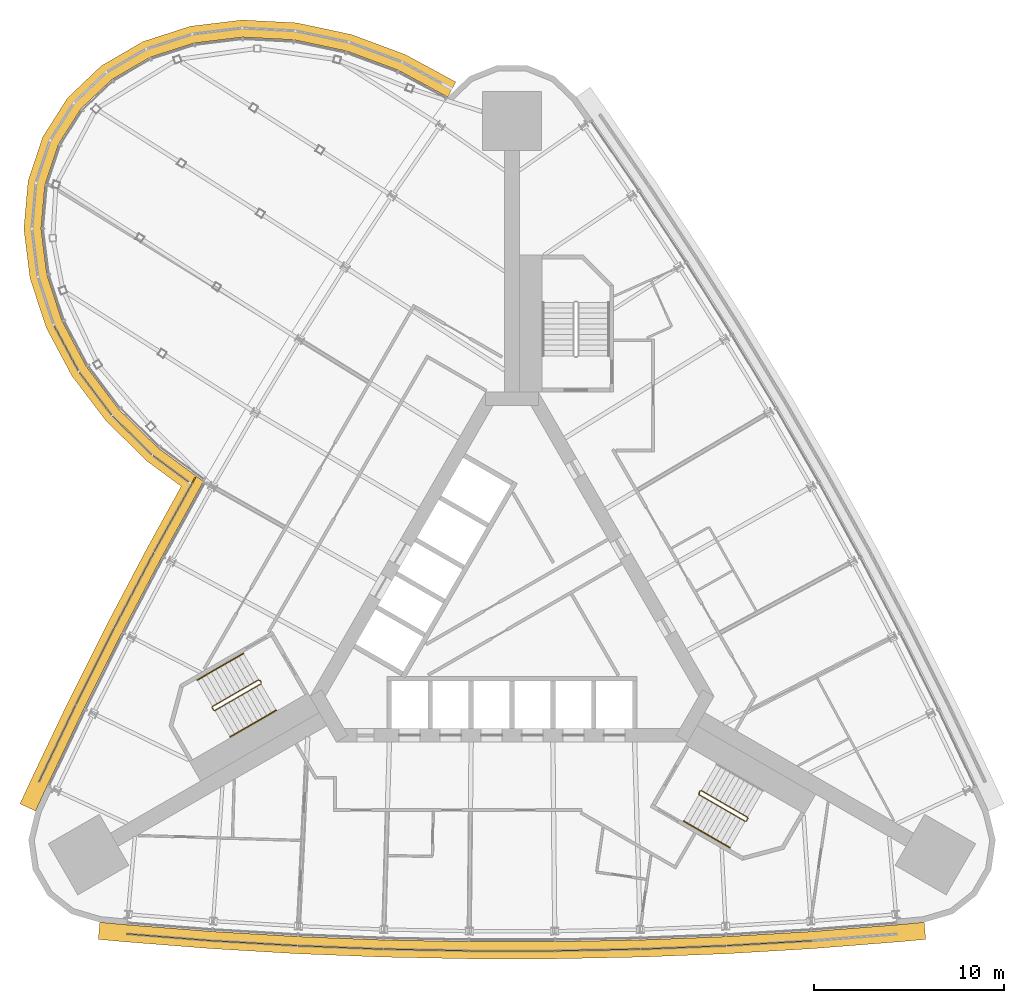
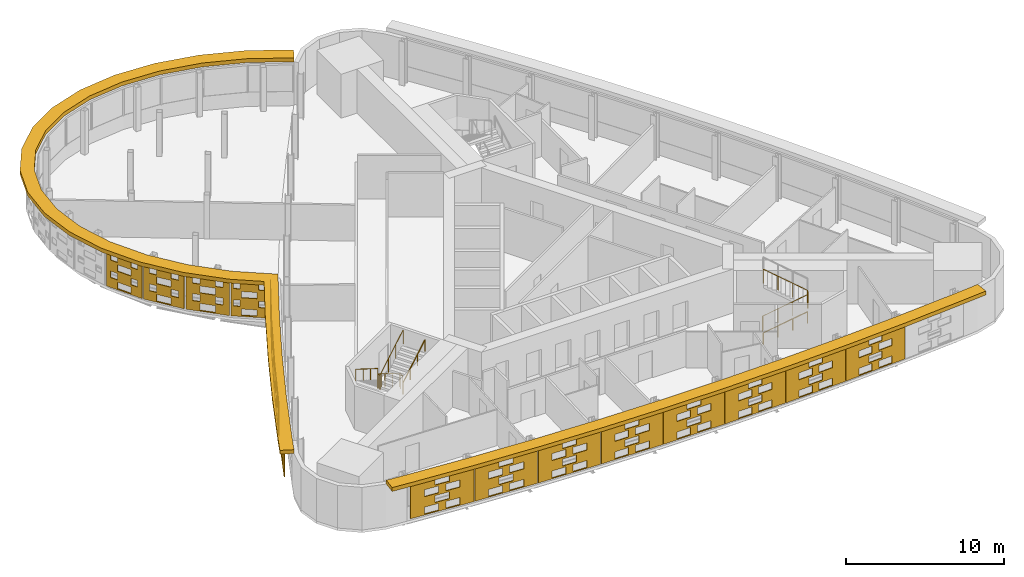
# One storey, part 15 of 17: 18 shading devices, 5 railings.
"""IFC4 building model written with IfcOpenShell, lengths in metres."""

import ifcopenshell
import ifcopenshell.guid

model = None  # the IFC model being written
_history = None  # IfcOwnerHistory: only IFC2X3 demands one
_inside = {}  # id of a spatial element -> (the spatial element, [elements in it])
_under = {}  # id of a project, library or spatial element -> (it, [spatial elements below it])
_declared = {}  # id of a project -> (the project, [libraries it declares])
_typed = {}  # id of a type object -> (the type object, [elements of that type])
_made_of = {}  # id of a material, layer set ... -> (it, [elements and type objects made of it])


def new_model(schema):
    """Start an empty IFC model of exactly this schema.

    Asked for "IFC4X3", IfcOpenShell would pick the latest addendum, in which some entities
    have other attributes; the version numbers below select the first issue.
    IFC2X3 requires an IfcOwnerHistory on every rooted entity: one is made here for all.
    """
    global model, _history
    if schema == "IFC4X3":
        model = ifcopenshell.file(schema_version=(4, 3, 0, 0))
    else:
        model = ifcopenshell.file(schema=schema)
    _inside.clear()
    _under.clear()
    _declared.clear()
    _typed.clear()
    _made_of.clear()
    _history = None
    if model.schema == "IFC2X3":
        org = make("IfcOrganization", Name="unknown")
        user = make(
            "IfcPersonAndOrganization",
            ThePerson=make("IfcPerson", FamilyName="unknown"),
            TheOrganization=org,
        )
        app = make(
            "IfcApplication",
            ApplicationDeveloper=org,
            Version="unknown",
            ApplicationFullName="unknown",
            ApplicationIdentifier="unknown",
        )
        _history = make(
            "IfcOwnerHistory",
            OwningUser=user,
            OwningApplication=app,
            ChangeAction="ADDED",
            CreationDate=0,
        )
    return model


def make(cls, **values):
    """One entity of the class cls with the attributes given. An attribute that is None is left unset."""
    return model.create_entity(
        cls, **{name: value for name, value in values.items() if value is not None}
    )


def rooted(cls, **values):
    """An entity with a GlobalId (a new one), such as an element, a storey or a relation."""
    return make(cls, GlobalId=ifcopenshell.guid.new(), OwnerHistory=_history, **values)


def si_unit(unit_type, name, prefix=None):
    """IfcSIUnit, for example si_unit("LENGTHUNIT", "METRE", prefix="MILLI")."""
    return make("IfcSIUnit", UnitType=unit_type, Prefix=prefix, Name=name)


def assignment(units):
    """IfcUnitAssignment: the units of a project."""
    return None if units is None else make("IfcUnitAssignment", Units=units)


def point(xyz):
    """IfcCartesianPoint."""
    return None if xyz is None else make("IfcCartesianPoint", Coordinates=xyz)


def direction(xyz):
    """IfcDirection."""
    return None if xyz is None else make("IfcDirection", DirectionRatios=xyz)


def frame(location, z_axis=None, x_axis=None):
    """IfcAxis2Placement3D, a coordinate frame: its origin and axes. An axis left out is left unset."""
    return make(
        "IfcAxis2Placement3D",
        Location=point(location),
        Axis=direction(z_axis),
        RefDirection=direction(x_axis),
    )


def frame_2d(location, x_axis=None):
    """IfcAxis2Placement2D, a coordinate frame in the plane: its origin and x axis."""
    return make(
        "IfcAxis2Placement2D", Location=point(location), RefDirection=direction(x_axis)
    )


def origin():
    """The frame at (0, 0, 0) with its axes left unset."""
    return frame((0.0, 0.0, 0.0))


def origin_2d():
    """The frame at (0, 0) in the plane with its x axis left unset."""
    return frame_2d((0.0, 0.0))


def place(relative_to, where):
    """IfcLocalPlacement: puts the frame where relative to a parent placement (None: the world)."""
    return make(
        "IfcLocalPlacement", PlacementRelTo=relative_to, RelativePlacement=where
    )


def context(
    kind, dimensions, precision=None, world=None, true_north=None, identifier=None
):
    """IfcGeometricRepresentationContext, for example the 3D "Model" context."""
    return make(
        "IfcGeometricRepresentationContext",
        ContextIdentifier=identifier,
        ContextType=kind,
        CoordinateSpaceDimension=dimensions,
        Precision=precision,
        WorldCoordinateSystem=world,
        TrueNorth=true_north,
    )


def subcontext(parent, identifier, kind, view, scale=None):
    """IfcGeometricRepresentationSubContext, for example "Body" below "Model"."""
    return make(
        "IfcGeometricRepresentationSubContext",
        ContextIdentifier=identifier,
        ContextType=kind,
        ParentContext=parent,
        TargetScale=scale,
        TargetView=view,
    )


def project(units=None, contexts=None):
    """IfcProject with its units and contexts."""
    return rooted(
        "IfcProject",
        Name="project",
        RepresentationContexts=contexts,
        UnitsInContext=assignment(units),
    )


def spatial(cls, under=None, at=None, **own):
    """A site, building, storey or space (cls), placed at a placement, below another one or the project."""
    s = rooted(cls, ObjectPlacement=at, **own)
    if under is not None:
        _under.setdefault(under.id(), (under, []))[1].append(s)
    return s


def polyline(points):
    """IfcPolyline through the points."""
    return make("IfcPolyline", Points=[point(p) for p in points])


def profile(cls, at=None, kind="AREA", **sizes):
    """A parametric profile (cls). Its sizes go by their IFC names, for example OverallWidth=200.0."""
    return make(cls, ProfileType=kind, Position=at, **sizes)


def circle(**sizes):
    """IfcCircleProfileDef."""
    return profile("IfcCircleProfileDef", **sizes)


def outline(outer, holes=None, kind="AREA"):
    """IfcArbitraryClosedProfileDef: a profile drawn as a closed curve; with holes, ...WithVoids."""
    if holes is None:
        return make("IfcArbitraryClosedProfileDef", ProfileType=kind, OuterCurve=outer)
    return make(
        "IfcArbitraryProfileDefWithVoids",
        ProfileType=kind,
        OuterCurve=outer,
        InnerCurves=holes,
    )


def extrude(swept, where, along, depth):
    """IfcExtrudedAreaSolid: the profile swept, set in the frame where, extruded along a direction by depth."""
    return make(
        "IfcExtrudedAreaSolid",
        SweptArea=swept,
        Position=where,
        ExtrudedDirection=direction(along),
        Depth=depth,
    )


def shape(context_of_items, identifier, shape_type, items):
    """IfcShapeRepresentation: the items that make up one representation, for example the "Body"."""
    return make(
        "IfcShapeRepresentation",
        ContextOfItems=context_of_items,
        RepresentationIdentifier=identifier,
        RepresentationType=shape_type,
        Items=items,
    )


def material(Name=None, Category=None):
    """IfcMaterial."""
    return make("IfcMaterial", Name=Name, Category=Category)


def layer(
    of_material, thickness, ventilated=None, Name=None, Category=None, Priority=None
):
    """IfcMaterialLayer: one layer of a wall or slab, of a material (None: an air gap)."""
    return make(
        "IfcMaterialLayer",
        Material=of_material,
        LayerThickness=thickness,
        IsVentilated=ventilated,
        Name=Name,
        Category=Category,
        Priority=Priority,
    )


def layer_set(layers, Name=None):
    """IfcMaterialLayerSet."""
    return make("IfcMaterialLayerSet", MaterialLayers=layers, LayerSetName=Name)


def material_profile(
    of_material, cross_section, Name=None, Category=None, Priority=None
):
    """IfcMaterialProfile: a cross section and its material."""
    return make(
        "IfcMaterialProfile",
        Name=Name,
        Material=of_material,
        Profile=cross_section,
        Priority=Priority,
        Category=Category,
    )


def profile_set(profiles, Name=None, composite=None):
    """IfcMaterialProfileSet."""
    return make(
        "IfcMaterialProfileSet",
        Name=Name,
        MaterialProfiles=profiles,
        CompositeProfile=composite,
    )


def made_of(thing, what):
    """Note that an element or type object is made of a material, layer set ...; save() writes the relation."""
    if what is not None:
        _made_of.setdefault(what.id(), (what, []))[1].append(thing)
    return thing


def type_object(cls, material=None, **own):
    """A type object (cls), such as IfcWallType, which elements share."""
    return made_of(rooted(cls, **own), material)


def element(
    cls,
    number,
    at=None,
    inside=None,
    cuts=None,
    type_object=None,
    material=None,
    context=None,
    identifier="Body",
    shape_type=None,
    held_by="IfcProductDefinitionShape",
    body=None,
    shapes=None,
    **own,
):
    """One element of the class cls, such as IfcWall. Its Tag is "e" and its number.

    at: its placement. inside: the storey or other place that contains it. cuts: it is an
    opening in that element (IfcRelVoidsElement). A single representation is given by context,
    identifier, shape_type and body (its items); several are given by shapes. held_by: the class
    of the entity that holds the representations. save() writes the other relations.
    """
    e = rooted(cls, Tag="e%d" % number, ObjectPlacement=at, **own)
    if body is not None:
        shapes = [shape(context, identifier, shape_type, body)]
    if shapes is not None:
        e.Representation = make(held_by, Representations=shapes)
    if inside is not None:
        _inside.setdefault(inside.id(), (inside, []))[1].append(e)
    if cuts is not None:
        rooted(
            "IfcRelVoidsElement", RelatingBuildingElement=cuts, RelatedOpeningElement=e
        )
    if type_object is not None:
        _typed.setdefault(type_object.id(), (type_object, []))[1].append(e)
    return made_of(e, material)


def aggregate(whole, parts):
    """IfcRelAggregates: a whole, such as a stair, and the parts it consists of."""
    return rooted("IfcRelAggregates", RelatingObject=whole, RelatedObjects=parts)


def save(model, path):
    """Write the relations noted so far, then the file.

    IfcRelAggregates (storeys below a building ...), IfcRelContainedInSpatialStructure (elements
    in a storey), IfcRelDefinesByType, IfcRelAssociatesMaterial and IfcRelDeclares: one each for
    every whole, place, type object, material and project.
    """
    for whole, parts in _under.values():
        aggregate(whole, parts)
    for where, things in _inside.values():
        rooted(
            "IfcRelContainedInSpatialStructure",
            RelatedElements=things,
            RelatingStructure=where,
        )
    for kind, things in _typed.values():
        rooted("IfcRelDefinesByType", RelatedObjects=things, RelatingType=kind)
    for what, things in _made_of.values():
        rooted("IfcRelAssociatesMaterial", RelatedObjects=things, RelatingMaterial=what)
    for by, libraries in _declared.values():
        rooted("IfcRelDeclares", RelatingContext=by, RelatedDefinitions=libraries)
    model.write(path)


model = new_model("IFC4")

# Units and contexts
model_context = context("Model", 3, precision=1e-05, world=origin(), true_north=direction((0.0, 1.0)))
body_context = subcontext(model_context, "Body", "Model", "MODEL_VIEW")
ifc_project = project(units=[si_unit("LENGTHUNIT", "METRE"), si_unit("AREAUNIT", "SQUARE_METRE"), si_unit("VOLUMEUNIT", "CUBIC_METRE"), si_unit("PLANEANGLEUNIT", "RADIAN"), si_unit("MASSUNIT", "GRAM", prefix="KILO")], contexts=[model_context])

# Site, building, storey
site_placement = place(None, origin())
site = spatial("IfcSite", under=ifc_project, at=site_placement, CompositionType="ELEMENT")
building_placement = place(site_placement, origin())
building = spatial("IfcBuilding", under=site, at=building_placement, Name="Noor Cloister Tower", CompositionType="ELEMENT")
storey_placement = place(building_placement, frame((0.0, 0.0, 95.10009765625)))
storey = spatial("IfcBuildingStorey", under=building, at=storey_placement, Name="L24", CompositionType="ELEMENT", Elevation=95.10009765625)

# Shading devices
ifc_material_1 = material(Name="Limestone", Category="masonry")
ifc_material_profile = material_profile(ifc_material_1, outline(polyline([(-2.22998046875, -1.35009765625), (2.22998046875, -1.35009765625), (2.22998046875, 1.35009765625), (-2.22998046875, 1.35009765625), (-2.22998046875, -1.35009765625)]), holes=[polyline([(-1.25, -1.282470703125), (-0.25, -1.282470703125), (-0.25, -0.742431640625), (-1.25, -0.742431640625), (-1.25, -1.282470703125)]), polyline([(0.25, -1.282470703125), (1.25, -1.282470703125), (1.25, -0.742431640625), (0.25, -0.742431640625), (0.25, -1.282470703125)]), polyline([(-0.5, -0.607421875), (0.5, -0.607421875), (0.5, -0.0673828125), (-0.5, -0.0673828125), (-0.5, -0.607421875)]), polyline([(-1.25, 0.0673828125), (-0.25, 0.0673828125), (-0.25, 0.607421875), (-1.25, 0.607421875), (-1.25, 0.0673828125)]), polyline([(0.25, 0.0673828125), (1.25, 0.0673828125), (1.25, 0.607421875), (0.25, 0.607421875), (0.25, 0.0673828125)]), polyline([(-0.5, 0.742431640625), (0.5, 0.742431640625), (0.5, 1.282470703125), (-0.5, 1.282470703125), (-0.5, 0.742431640625)])]), Name="Woven screen 28 percent open")
ifc_profile_set = profile_set([ifc_material_profile], Name="Limestone")
shading_device_type_1 = type_object("IfcShadingDeviceType", Name="SCREEN woven limestone 28 percent open", PredefinedType="USERDEFINED", material=ifc_profile_set)
shading_device_1_placement = place(storey_placement, frame((-17.6884765625, 5.006591796875, 1.849853515625), z_axis=(-0.874923997532, 0.484260259099, 0.0), x_axis=(-0.484260259099, -0.874923997532, 0.0)))
element("IfcShadingDevice", 1, at=shading_device_1_placement, inside=storey, type_object=shading_device_type_1, Name="SCREEN L24 18", ObjectType="SCREEN", PredefinedType="USERDEFINED", context=body_context, shape_type="SweptSolid", body=[
    extrude(outline(polyline([(-2.22998046875, -1.35009765625), (2.22998046875, -1.35009765625), (2.22998046875, 1.35009765625), (-2.22998046875, 1.35009765625), (-2.22998046875, -1.35009765625)]), holes=[polyline([(-1.25, -1.282470703125), (-0.25, -1.282470703125), (-0.25, -0.742431640625), (-1.25, -0.742431640625), (-1.25, -1.282470703125)]), polyline([(0.25, -1.282470703125), (1.25, -1.282470703125), (1.25, -0.742431640625), (0.25, -0.742431640625), (0.25, -1.282470703125)]), polyline([(-0.5, -0.607421875), (0.5, -0.607421875), (0.5, -0.0673828125), (-0.5, -0.0673828125), (-0.5, -0.607421875)]), polyline([(-1.25, 0.0673828125), (-0.25, 0.0673828125), (-0.25, 0.607421875), (-1.25, 0.607421875), (-1.25, 0.0673828125)]), polyline([(0.25, 0.0673828125), (1.25, 0.0673828125), (1.25, 0.607421875), (0.25, 0.607421875), (0.25, 0.0673828125)]), polyline([(-0.5, 0.742431640625), (0.5, 0.742431640625), (0.5, 1.282470703125), (-0.5, 1.282470703125), (-0.5, 0.742431640625)])]), origin(), (0.0, 0.0, 1.0), 0.06005859375),
])
shading_device_2_placement = place(storey_placement, frame((-19.82666015625, 1.037353515625, 1.849853515625), z_axis=(-0.885271944608, 0.465073740486, 0.0), x_axis=(-0.465073740486, -0.885271944608, 0.0)))
element("IfcShadingDevice", 2, at=shading_device_2_placement, inside=storey, type_object=shading_device_type_1, Name="SCREEN L24 19", ObjectType="SCREEN", PredefinedType="USERDEFINED", context=body_context, shape_type="SweptSolid", body=[
    extrude(outline(polyline([(-2.22998046875, -1.35009765625), (2.22998046875, -1.35009765625), (2.22998046875, 1.35009765625), (-2.22998046875, 1.35009765625), (-2.22998046875, -1.35009765625)]), holes=[polyline([(-1.25, -1.282470703125), (-0.25, -1.282470703125), (-0.25, -0.742431640625), (-1.25, -0.742431640625), (-1.25, -1.282470703125)]), polyline([(0.25, -1.282470703125), (1.25, -1.282470703125), (1.25, -0.742431640625), (0.25, -0.742431640625), (0.25, -1.282470703125)]), polyline([(-0.5, -0.607421875), (0.5, -0.607421875), (0.5, -0.0673828125), (-0.5, -0.0673828125), (-0.5, -0.607421875)]), polyline([(-1.25, 0.0673828125), (-0.25, 0.0673828125), (-0.25, 0.607421875), (-1.25, 0.607421875), (-1.25, 0.0673828125)]), polyline([(0.25, 0.0673828125), (1.25, 0.0673828125), (1.25, 0.607421875), (0.25, 0.607421875), (0.25, 0.0673828125)]), polyline([(-0.5, 0.742431640625), (0.5, 0.742431640625), (0.5, 1.282470703125), (-0.5, 1.282470703125), (-0.5, 0.742431640625)])]), origin(), (0.0, 0.0, 1.0), 0.059814453125),
])
for number, where, z_axis, x_axis, name in (
    (3, (-21.885986328125, -2.973388671875, 1.849853515625), (-0.894427191, 0.4472135955, 0.0), (-0.4472135955, -0.894427191, 0.0), "SCREEN L24 20"),
    (4, (-23.8662109375, -7.02392578125, 1.849853515625), (-0.902409201061, 0.430880068975, 0.0), (-0.430880068975, -0.902409201061, 0.0), "SCREEN L24 21"),
    (5, (-18.015869140625, -17.15673828125, 1.849853515625), (-0.081362009455, -0.996684615823, 0.0), (0.996684615823, -0.081362009455, 0.0), "SCREEN L24 1"),
):
    element("IfcShadingDevice", number, at=place(storey_placement, frame(where, z_axis=z_axis, x_axis=x_axis)), inside=storey, type_object=shading_device_type_1, Name=name, ObjectType="SCREEN", PredefinedType="USERDEFINED", context=body_context, shape_type="SweptSolid", body=[
        extrude(outline(polyline([(-2.22998046875, -1.35009765625), (2.22998046875, -1.35009765625), (2.22998046875, 1.35009765625), (-2.22998046875, 1.35009765625), (-2.22998046875, -1.35009765625)]), holes=[polyline([(-1.25, -1.282470703125), (-0.25, -1.282470703125), (-0.25, -0.742431640625), (-1.25, -0.742431640625), (-1.25, -1.282470703125)]), polyline([(0.25, -1.282470703125), (1.25, -1.282470703125), (1.25, -0.742431640625), (0.25, -0.742431640625), (0.25, -1.282470703125)]), polyline([(-0.5, -0.607421875), (0.5, -0.607421875), (0.5, -0.0673828125), (-0.5, -0.0673828125), (-0.5, -0.607421875)]), polyline([(-1.25, 0.0673828125), (-0.25, 0.0673828125), (-0.25, 0.607421875), (-1.25, 0.607421875), (-1.25, 0.0673828125)]), polyline([(0.25, 0.0673828125), (1.25, 0.0673828125), (1.25, 0.607421875), (0.25, 0.607421875), (0.25, 0.0673828125)]), polyline([(-0.5, 0.742431640625), (0.5, 0.742431640625), (0.5, 1.282470703125), (-0.5, 1.282470703125), (-0.5, 0.742431640625)])]), origin(), (0.0, 0.0, 1.0), 0.06005859375),
    ])
shading_device_3_placement = place(storey_placement, frame((-13.51806640625, -17.46728515625, 1.849853515625), z_axis=(-0.057049790539, -0.998371334424, 0.0), x_axis=(0.998371334424, -0.057049790539, 0.0)))
element("IfcShadingDevice", 6, at=shading_device_3_placement, inside=storey, type_object=shading_device_type_1, Name="SCREEN L24 2", ObjectType="SCREEN", PredefinedType="USERDEFINED", context=body_context, shape_type="SweptSolid", body=[
    extrude(outline(polyline([(-2.22998046875, -1.35009765625), (2.22998046875, -1.35009765625), (2.22998046875, 1.35009765625), (-2.22998046875, 1.35009765625), (-2.22998046875, -1.35009765625)]), holes=[polyline([(-1.25, -1.282470703125), (-0.25, -1.282470703125), (-0.25, -0.742431640625), (-1.25, -0.742431640625), (-1.25, -1.282470703125)]), polyline([(0.25, -1.282470703125), (1.25, -1.282470703125), (1.25, -0.742431640625), (0.25, -0.742431640625), (0.25, -1.282470703125)]), polyline([(-0.5, -0.607421875), (0.5, -0.607421875), (0.5, -0.0673828125), (-0.5, -0.0673828125), (-0.5, -0.607421875)]), polyline([(-1.25, 0.0673828125), (-0.25, 0.0673828125), (-0.25, 0.607421875), (-1.25, 0.607421875), (-1.25, 0.0673828125)]), polyline([(0.25, 0.0673828125), (1.25, 0.0673828125), (1.25, 0.607421875), (0.25, 0.607421875), (0.25, 0.0673828125)]), polyline([(-0.5, 0.742431640625), (0.5, 0.742431640625), (0.5, 1.282470703125), (-0.5, 1.282470703125), (-0.5, 0.742431640625)])]), origin(), (0.0, 0.0, 1.0), 0.059814453125),
])
for number, where, z_axis, x_axis, name in (
    (7, (-9.014892578125, -17.68896484375, 1.849853515625), (-0.040616861577, -0.999174794796, 0.0), (0.999174794796, -0.040616861577, 0.0), "SCREEN L24 3"),
    (8, (-4.50830078125, -17.822021484375, 1.849853515625), (-0.020321006241, -0.999793507033, 0.0), (0.999793507033, -0.020321006241, 0.0), "SCREEN L24 4"),
    (9, (0.0, -17.866455078125, 1.849853515625), (0.0, -1.0, 0.0), (1.0, 0.0, 0.0), "SCREEN L24 5"),
    (10, (4.50830078125, -17.822021484375, 1.849853515625), (0.020321006241, -0.999793507033, 0.0), (0.999793507033, 0.020321006241, 0.0), "SCREEN L24 6"),
    (11, (9.014892578125, -17.68896484375, 1.849853515625), (0.040616861577, -0.999174794796, 0.0), (0.999174794796, 0.040616861577, 0.0), "SCREEN L24 7"),
):
    element("IfcShadingDevice", number, at=place(storey_placement, frame(where, z_axis=z_axis, x_axis=x_axis)), inside=storey, type_object=shading_device_type_1, Name=name, ObjectType="SCREEN", PredefinedType="USERDEFINED", context=body_context, shape_type="SweptSolid", body=[
        extrude(outline(polyline([(-2.22998046875, -1.35009765625), (2.22998046875, -1.35009765625), (2.22998046875, 1.35009765625), (-2.22998046875, 1.35009765625), (-2.22998046875, -1.35009765625)]), holes=[polyline([(-1.25, -1.282470703125), (-0.25, -1.282470703125), (-0.25, -0.742431640625), (-1.25, -0.742431640625), (-1.25, -1.282470703125)]), polyline([(0.25, -1.282470703125), (1.25, -1.282470703125), (1.25, -0.742431640625), (0.25, -0.742431640625), (0.25, -1.282470703125)]), polyline([(-0.5, -0.607421875), (0.5, -0.607421875), (0.5, -0.0673828125), (-0.5, -0.0673828125), (-0.5, -0.607421875)]), polyline([(-1.25, 0.0673828125), (-0.25, 0.0673828125), (-0.25, 0.607421875), (-1.25, 0.607421875), (-1.25, 0.0673828125)]), polyline([(0.25, 0.0673828125), (1.25, 0.0673828125), (1.25, 0.607421875), (0.25, 0.607421875), (0.25, 0.0673828125)]), polyline([(-0.5, 0.742431640625), (0.5, 0.742431640625), (0.5, 1.282470703125), (-0.5, 1.282470703125), (-0.5, 0.742431640625)])]), origin(), (0.0, 0.0, 1.0), 0.06005859375),
    ])
shading_device_4_placement = place(storey_placement, frame((13.51806640625, -17.46728515625, 1.849853515625), z_axis=(0.057049790539, -0.998371334424, 0.0), x_axis=(0.998371334424, 0.057049790539, 0.0)))
element("IfcShadingDevice", 12, at=shading_device_4_placement, inside=storey, type_object=shading_device_type_1, Name="SCREEN L24 8", ObjectType="SCREEN", PredefinedType="USERDEFINED", context=body_context, shape_type="SweptSolid", body=[
    extrude(outline(polyline([(-2.22998046875, -1.35009765625), (2.22998046875, -1.35009765625), (2.22998046875, 1.35009765625), (-2.22998046875, 1.35009765625), (-2.22998046875, -1.35009765625)]), holes=[polyline([(-1.25, -1.282470703125), (-0.25, -1.282470703125), (-0.25, -0.742431640625), (-1.25, -0.742431640625), (-1.25, -1.282470703125)]), polyline([(0.25, -1.282470703125), (1.25, -1.282470703125), (1.25, -0.742431640625), (0.25, -0.742431640625), (0.25, -1.282470703125)]), polyline([(-0.5, -0.607421875), (0.5, -0.607421875), (0.5, -0.0673828125), (-0.5, -0.0673828125), (-0.5, -0.607421875)]), polyline([(-1.25, 0.0673828125), (-0.25, 0.0673828125), (-0.25, 0.607421875), (-1.25, 0.607421875), (-1.25, 0.0673828125)]), polyline([(0.25, 0.0673828125), (1.25, 0.0673828125), (1.25, 0.607421875), (0.25, 0.607421875), (0.25, 0.0673828125)]), polyline([(-0.5, 0.742431640625), (0.5, 0.742431640625), (0.5, 1.282470703125), (-0.5, 1.282470703125), (-0.5, 0.742431640625)])]), origin(), (0.0, 0.0, 1.0), 0.059814453125),
])
ifc_material_2 = material(Name="Limestone", Category="masonry")
ifc_layer = layer(ifc_material_2, 0.06005859375)
ifc_layer_set = layer_set([ifc_layer], Name="SCREEN woven limestone pod 28 percent open")
shading_device_type_2 = type_object("IfcShadingDeviceType", Name="SCREEN woven limestone pod 28 percent open", PredefinedType="USERDEFINED", material=ifc_layer_set)
shading_device_5_placement = place(storey_placement, frame((-23.390380859375, 13.770751953125, 1.849853515625), z_axis=(-0.88190253726, -0.47143177107, 0.0), x_axis=(0.47143177107, -0.88190253726, 0.0)))
element("IfcShadingDevice", 13, at=shading_device_5_placement, inside=storey, type_object=shading_device_type_2, Name="SCREEN L24 14", ObjectType="SCREEN", PredefinedType="USERDEFINED", context=body_context, shape_type="SweptSolid", body=[
    extrude(outline(polyline([(-1.3330078125, -1.35009765625), (1.3330078125, -1.35009765625), (1.3330078125, 1.35009765625), (-1.3330078125, 1.35009765625), (-1.3330078125, -1.35009765625)]), holes=[polyline([(-0.5, -1.264404296875), (0.5, -1.264404296875), (0.5, -0.760498046875), (-0.5, -0.760498046875), (-0.5, -1.264404296875)]), polyline([(-1.0, -0.58935546875), (-0.5, -0.58935546875), (-0.5, -0.085693359375), (-1.0, -0.085693359375), (-1.0, -0.58935546875)]), polyline([(0.5, -0.58935546875), (1.0, -0.58935546875), (1.0, -0.085693359375), (0.5, -0.085693359375), (0.5, -0.58935546875)]), polyline([(-0.5, 0.085693359375), (0.5, 0.085693359375), (0.5, 0.58935546875), (-0.5, 0.58935546875), (-0.5, 0.085693359375)]), polyline([(-1.0, 0.760498046875), (-0.5, 0.760498046875), (-0.5, 1.264404296875), (-1.0, 1.264404296875), (-1.0, 0.760498046875)]), polyline([(0.5, 0.760498046875), (1.0, 0.760498046875), (1.0, 1.264404296875), (0.5, 1.264404296875), (0.5, 0.760498046875)])]), origin(), (0.0, 0.0, 1.0), 0.06005859375),
])
shading_device_6_placement = place(storey_placement, frame((-21.863037109375, 11.393798828125, 1.849853515625), z_axis=(-0.798041368931, -0.602602666336, 0.0), x_axis=(0.602602666336, -0.798041368931, 0.0)))
element("IfcShadingDevice", 14, at=shading_device_6_placement, inside=storey, type_object=shading_device_type_2, Name="SCREEN L24 15", ObjectType="SCREEN", PredefinedType="USERDEFINED", context=body_context, shape_type="SweptSolid", body=[
    extrude(outline(polyline([(-1.39013671875, -1.35009765625), (1.39013671875, -1.35009765625), (1.39013671875, 1.35009765625), (-1.39013671875, 1.35009765625), (-1.39013671875, -1.35009765625)]), holes=[polyline([(-0.5, -1.275146484375), (0.5, -1.275146484375), (0.5, -0.749755859375), (-0.5, -0.749755859375), (-0.5, -1.275146484375)]), polyline([(-1.0, -0.600341796875), (-0.5, -0.600341796875), (-0.5, -0.07470703125), (-1.0, -0.07470703125), (-1.0, -0.600341796875)]), polyline([(0.5, -0.600341796875), (1.0, -0.600341796875), (1.0, -0.07470703125), (0.5, -0.07470703125), (0.5, -0.600341796875)]), polyline([(-0.5, 0.07470703125), (0.5, 0.07470703125), (0.5, 0.600341796875), (-0.5, 0.600341796875), (-0.5, 0.07470703125)]), polyline([(-1.0, 0.749755859375), (-0.5, 0.749755859375), (-0.5, 1.275146484375), (-1.0, 1.275146484375), (-1.0, 0.749755859375)]), polyline([(0.5, 0.749755859375), (1.0, 0.749755859375), (1.0, 1.275146484375), (0.5, 1.275146484375), (0.5, 0.749755859375)])]), origin(), (0.0, 0.0, 1.0), 0.06005859375),
])
shading_device_7_placement = place(storey_placement, frame((-19.931640625, 9.20361328125, 1.849853515625), z_axis=(-0.70096726958, -0.713193442887, 0.0), x_axis=(0.713193442887, -0.70096726958, 0.0)))
element("IfcShadingDevice", 15, at=shading_device_7_placement, inside=storey, type_object=shading_device_type_2, Name="SCREEN L24 16", ObjectType="SCREEN", PredefinedType="USERDEFINED", context=body_context, shape_type="SweptSolid", body=[
    extrude(outline(polyline([(-1.431640625, -1.35009765625), (1.431640625, -1.35009765625), (1.431640625, 1.35009765625), (-1.431640625, 1.35009765625), (-1.431640625, -1.35009765625)]), holes=[polyline([(-0.5, -1.282470703125), (0.5, -1.282470703125), (0.5, -0.742431640625), (-0.5, -0.742431640625), (-0.5, -1.282470703125)]), polyline([(-1.0, -0.607421875), (-0.5, -0.607421875), (-0.5, -0.0673828125), (-1.0, -0.0673828125), (-1.0, -0.607421875)]), polyline([(0.5, -0.607421875), (1.0, -0.607421875), (1.0, -0.0673828125), (0.5, -0.0673828125), (0.5, -0.607421875)]), polyline([(-0.5, 0.0673828125), (0.5, 0.0673828125), (0.5, 0.607421875), (-0.5, 0.607421875), (-0.5, 0.0673828125)]), polyline([(-1.0, 0.742431640625), (-0.5, 0.742431640625), (-0.5, 1.282470703125), (-1.0, 1.282470703125), (-1.0, 0.742431640625)]), polyline([(0.5, 0.742431640625), (1.0, 0.742431640625), (1.0, 1.282470703125), (0.5, 1.282470703125), (0.5, 0.742431640625)])]), origin(), (0.0, 0.0, 1.0), 0.059814453125),
])
shading_device_8_placement = place(storey_placement, frame((-17.902587890625, 7.449951171875, 1.849853515625), z_axis=(-0.593476321419, -0.804851449595, 0.0), x_axis=(0.804851449595, -0.593476321419, 0.0)))
element("IfcShadingDevice", 16, at=shading_device_8_placement, inside=storey, type_object=shading_device_type_2, Name="SCREEN L24 17", ObjectType="SCREEN", PredefinedType="USERDEFINED", context=body_context, shape_type="SweptSolid", body=[
    extrude(outline(polyline([(-1.153564453125, -1.35009765625), (1.153564453125, -1.35009765625), (1.153564453125, 1.35009765625), (-1.153564453125, 1.35009765625), (-1.153564453125, -1.35009765625)]), holes=[polyline([(-0.5, -1.25390625), (0.5, -1.25390625), (0.5, -0.771240234375), (-0.5, -0.771240234375), (-0.5, -1.25390625)]), polyline([(0.60009765625, -0.578857421875), (1.00341796875, -0.578857421875), (1.00341796875, -0.09619140625), (0.60009765625, -0.09619140625), (0.60009765625, -0.578857421875)]), polyline([(-1.00341796875, -0.578857421875), (-0.60009765625, -0.578857421875), (-0.60009765625, -0.09619140625), (-1.00341796875, -0.09619140625), (-1.00341796875, -0.578857421875)]), polyline([(-0.5, 0.09619140625), (0.5, 0.09619140625), (0.5, 0.578857421875), (-0.5, 0.578857421875), (-0.5, 0.09619140625)]), polyline([(0.60009765625, 0.771240234375), (1.00341796875, 0.771240234375), (1.00341796875, 1.25390625), (0.60009765625, 1.25390625), (0.60009765625, 0.771240234375)]), polyline([(-1.00341796875, 0.771240234375), (-0.60009765625, 0.771240234375), (-0.60009765625, 1.25390625), (-1.00341796875, 1.25390625), (-1.00341796875, 0.771240234375)])]), origin(), (0.0, 0.0, 1.0), 0.06005859375),
])
ifc_material_3 = material(Name="Limestone", Category="masonry")
shading_device_type_3 = type_object("IfcShadingDeviceType", Name="SUNSHADE limestone band 900", PredefinedType="USERDEFINED", material=ifc_material_3)
shading_device_9_placement = place(storey_placement, frame((0.0, 0.0, 3.2998046875)))
element("IfcShadingDevice", 17, at=shading_device_9_placement, inside=storey, type_object=shading_device_type_3, Name="SUNSHADE L24 1", ObjectType="SUNSHADE", PredefinedType="USERDEFINED", context=body_context, shape_type="SweptSolid", body=[
    extrude(outline(polyline([(-2.946533203125, 27.743896484375), (-5.5927734375, 29.178955078125), (-8.43505859375, 30.2373046875), (-11.32763671875, 30.85302734375), (-14.1787109375, 31.001708984375), (-16.896240234375, 30.671875), (-19.38916015625, 29.864990234375), (-21.56787109375, 28.598388671875), (-23.34619140625, 26.908935546875), (-24.649169921875, 24.85888671875), (-25.42333984375, 22.53125), (-25.64501953125, 20.020751953125), (-25.31689453125, 17.421142578125), (-24.461669921875, 14.82080078125), (-23.1162109375, 12.302734375), (-21.330322265625, 9.9453125), (-19.1650390625, 7.821533203125), (-17.377197265625, 6.50341796875), (-19.17333984375, 3.245849609375), (-21.2763671875, -0.75244140625), (-23.30029296875, -4.791259765625), (-25.2431640625, -8.866455078125), (-25.846923828125, -10.17626953125), (-25.029541015625, -10.552978515625), (-24.42822265625, -9.24853515625), (-22.49169921875, -5.1865234375), (-20.475830078125, -1.16357421875), (-18.380859375, 2.819091796875), (-16.2080078125, 6.759765625), (-18.580078125, 8.508544921875), (-20.65283203125, 10.54150390625), (-22.35595703125, 12.78955078125), (-23.631103515625, 15.17626953125), (-24.434814453125, 17.619873046875), (-24.739990234375, 20.03759765625), (-24.5361328125, 22.34716796875), (-23.830078125, 24.469482421875), (-22.646240234375, 26.332763671875), (-21.0244140625, 27.873291015625), (-19.02001953125, 29.03857421875), (-16.70166015625, 29.7890625), (-14.147705078125, 30.098876953125), (-11.445556640625, 29.9580078125), (-8.68701171875, 29.370849609375), (-5.96630859375, 28.357666015625), (-3.37548828125, 26.95263671875), (-2.946533203125, 27.743896484375)])), origin(), (0.0, 0.0, 1.0), 0.300048828125),
])
shading_device_10_placement = place(storey_placement, frame((0.0, 0.0, 3.2998046875)))
element("IfcShadingDevice", 18, at=shading_device_10_placement, inside=storey, type_object=shading_device_type_3, Name="SUNSHADE L24 2", ObjectType="SUNSHADE", PredefinedType="USERDEFINED", context=body_context, shape_type="SweptSolid", body=[
    extrude(outline(polyline([(-21.736328125, -17.2958984375), (-20.300048828125, -17.427978515625), (-15.799560546875, -17.783203125), (-11.289794921875, -18.0498046875), (-6.775634765625, -18.2275390625), (-2.2587890625, -18.31640625), (2.2587890625, -18.31640625), (6.775634765625, -18.2275390625), (11.289794921875, -18.0498046875), (15.799560546875, -17.783203125), (20.300048828125, -17.427978515625), (21.736328125, -17.2958984375), (21.65380859375, -16.399658203125), (20.2236328125, -16.53125), (15.737548828125, -16.88525390625), (11.245361328125, -17.150634765625), (6.7490234375, -17.327880859375), (2.25, -17.41650390625), (-2.25, -17.41650390625), (-6.7490234375, -17.327880859375), (-11.245361328125, -17.150634765625), (-15.737548828125, -16.88525390625), (-20.2236328125, -16.53125), (-21.65380859375, -16.399658203125), (-21.736328125, -17.2958984375)])), origin(), (0.0, 0.0, 1.0), 0.300048828125),
])

# Railings
ifc_material_4 = material(Name="Stainless steel", Category="steel")
railing_type_1 = type_object("IfcRailingType", Name="Stair guard 1100", PredefinedType="GUARDRAIL", material=ifc_material_4)
railing_1_placement = place(storey_placement, frame((-13.241455078125, -3.677734375, 0.0)))
element("IfcRailing", 19, at=railing_1_placement, inside=storey, type_object=railing_type_1, Name="Stair guard ST2 L24", PredefinedType="GUARDRAIL", context=body_context, shape_type="SweptSolid", body=[
    extrude(circle(Radius=0.02392578125, at=origin_2d()), frame((0.0, 0.0, 1.076171875), z_axis=(0.499112439033, -0.866537231285, 0.0), x_axis=(0.866537231285, 0.499112439033, 0.0)), (0.0, 0.0, 1.0), 0.150146484375),
    extrude(circle(Radius=0.02392578125, at=origin_2d()), frame((0.074951171875, -0.130126953125, 1.076171875), z_axis=(-0.544565797804, 0.563119998752, 0.621565731736), x_axis=(-0.718850276695, -0.695164929852, 0.0)), (0.0, 0.0, 1.0), 0.26318359375),
    extrude(circle(Radius=0.02392578125, at=origin_2d()), frame((-0.068359375, 0.01806640625, 1.23974609375), z_axis=(-0.74771821388, -0.431677027627, 0.504551698492), x_axis=(0.49998411664, -0.866034573852, 0.0)), (0.0, 0.0, 1.0), 3.242919921875),
    extrude(circle(Radius=0.02392578125, at=origin_2d()), frame((-2.4931640625, -1.3818359375, 2.8759765625), z_axis=(-0.258736085224, -0.965948051503, 0.0), x_axis=(0.965948051503, -0.258736085224, 0.0)), (0.0, 0.0, 1.0), 0.07080078125),
    extrude(circle(Radius=0.02392578125, at=origin_2d()), frame((-2.511474609375, -1.4501953125, 2.8759765625), z_axis=(0.499816412211, -0.866131372301, 0.0), x_axis=(0.866131372301, 0.499816412211, 0.0)), (0.0, 0.0, 1.0), 0.14990234375),
    extrude(circle(Radius=0.02392578125, at=origin_2d()), frame((-2.4365234375, -1.580078125, 2.8759765625), z_axis=(0.383070988865, -0.102608300589, 0.918002262601), x_axis=(0.258736085224, 0.965948051503, 0.0)), (0.0, 0.0, 1.0), 0.178466796875),
    extrude(circle(Radius=0.02392578125, at=origin_2d()), frame((-2.3681640625, -1.598388671875, 3.03955078125), z_axis=(0.747693913401, 0.431738279637, 0.504535300807), x_axis=(-0.500049511043, 0.865996816683, 0.0)), (0.0, 0.0, 1.0), 3.2431640625),
    extrude(circle(Radius=0.02099609375, at=origin_2d()), origin(), (0.0, 0.0, 1.0), 1.052001953125),
    extrude(circle(Radius=0.02099609375, at=origin_2d()), frame((0.074951171875, -0.130126953125, 0.0)), (0.0, 0.0, 1.0), 1.052001953125),
    extrude(circle(Radius=0.02099609375, at=origin_2d()), frame((-0.068359375, 0.01806640625, 0.16357421875)), (0.0, 0.0, 1.0), 1.052001953125),
    extrude(circle(Radius=0.02099609375, at=origin_2d()), frame((-0.876708984375, -0.448486328125, 0.708984375)), (0.0, 0.0, 1.0), 1.052001953125),
    extrude(circle(Radius=0.02099609375, at=origin_2d()), frame((-1.684814453125, -0.915283203125, 1.25439453125)), (0.0, 0.0, 1.0), 1.052001953125),
    extrude(circle(Radius=0.02099609375, at=origin_2d()), frame((-2.4931640625, -1.3818359375, 1.7998046875)), (0.0, 0.0, 1.0), 1.052001953125),
    extrude(circle(Radius=0.02099609375, at=origin_2d()), frame((-2.511474609375, -1.4501953125, 1.7998046875)), (0.0, 0.0, 1.0), 1.052001953125),
    extrude(circle(Radius=0.02099609375, at=origin_2d()), frame((-2.4365234375, -1.580078125, 1.7998046875)), (0.0, 0.0, 1.0), 1.052001953125),
    extrude(circle(Radius=0.02099609375, at=origin_2d()), frame((-2.3681640625, -1.598388671875, 1.963623046875)), (0.0, 0.0, 1.0), 1.052001953125),
    extrude(circle(Radius=0.02099609375, at=origin_2d()), frame((-1.559814453125, -1.131591796875, 2.509033203125)), (0.0, 0.0, 1.0), 1.052001953125),
    extrude(circle(Radius=0.02099609375, at=origin_2d()), frame((-0.751708984375, -0.6650390625, 3.054443359375)), (0.0, 0.0, 1.0), 1.052001953125),
    extrude(circle(Radius=0.02099609375, at=origin_2d()), frame((0.056640625, -0.1982421875, 3.599853515625)), (0.0, 0.0, 1.0), 1.052001953125),
])
railing_2_placement = place(storey_placement, frame((9.805908203125, -9.628662109375, 0.0)))
element("IfcRailing", 20, at=railing_2_placement, inside=storey, type_object=railing_type_1, Name="Stair guard ST3 L24", PredefinedType="GUARDRAIL", context=body_context, shape_type="SweptSolid", body=[
    extrude(circle(Radius=0.02392578125, at=origin_2d()), frame((0.0, 0.0, 1.076171875), z_axis=(0.499112439033, 0.866537231285, 0.0), x_axis=(-0.866537231285, 0.499112439033, 0.0)), (0.0, 0.0, 1.0), 0.150146484375),
    extrude(circle(Radius=0.02392578125, at=origin_2d()), frame((0.074951171875, 0.130126953125, 1.076171875), z_axis=(-0.215214839654, -0.753251938789, 0.621525614518), x_axis=(0.961523947641, -0.274721127897, 0.0)), (0.0, 0.0, 1.0), 0.26318359375),
    extrude(circle(Radius=0.02392578125, at=origin_2d()), frame((0.018310546875, -0.068115234375, 1.23974609375), z_axis=(0.747693913401, -0.431738279637, 0.504535300807), x_axis=(0.500049511043, 0.865996816683, 0.0)), (0.0, 0.0, 1.0), 3.2431640625),
    extrude(circle(Radius=0.02392578125, at=origin_2d()), frame((2.443115234375, -1.46826171875, 2.8759765625), z_axis=(0.965948051503, 0.258736085224, 0.0), x_axis=(-0.258736085224, 0.965948051503, 0.0)), (0.0, 0.0, 1.0), 0.07080078125),
    extrude(circle(Radius=0.02392578125, at=origin_2d()), frame((2.511474609375, -1.449951171875, 2.8759765625), z_axis=(0.499816412211, 0.866131372301, 0.0), x_axis=(-0.866131372301, 0.499816412211, 0.0)), (0.0, 0.0, 1.0), 0.14990234375),
    extrude(circle(Radius=0.02392578125, at=origin_2d()), frame((2.58642578125, -1.320068359375, 2.8759765625), z_axis=(-0.102608300589, 0.383070988865, 0.918002262601), x_axis=(-0.965948051503, -0.258736085224, 0.0)), (0.0, 0.0, 1.0), 0.178466796875),
    extrude(circle(Radius=0.02392578125, at=origin_2d()), frame((2.568115234375, -1.251708984375, 3.03955078125), z_axis=(-0.74771821388, 0.431677027627, 0.504551698492), x_axis=(-0.49998411664, -0.866034573852, 0.0)), (0.0, 0.0, 1.0), 3.242919921875),
    extrude(circle(Radius=0.02099609375, at=origin_2d()), origin(), (0.0, 0.0, 1.0), 1.052001953125),
    extrude(circle(Radius=0.02099609375, at=origin_2d()), frame((0.074951171875, 0.130126953125, 0.0)), (0.0, 0.0, 1.0), 1.052001953125),
    extrude(circle(Radius=0.02099609375, at=origin_2d()), frame((0.018310546875, -0.068115234375, 0.16357421875)), (0.0, 0.0, 1.0), 1.052001953125),
    extrude(circle(Radius=0.02099609375, at=origin_2d()), frame((0.82666015625, -0.534912109375, 0.708984375)), (0.0, 0.0, 1.0), 1.052001953125),
    extrude(circle(Radius=0.02099609375, at=origin_2d()), frame((1.634765625, -1.00146484375, 1.25439453125)), (0.0, 0.0, 1.0), 1.052001953125),
    extrude(circle(Radius=0.02099609375, at=origin_2d()), frame((2.443115234375, -1.46826171875, 1.7998046875)), (0.0, 0.0, 1.0), 1.052001953125),
    extrude(circle(Radius=0.02099609375, at=origin_2d()), frame((2.511474609375, -1.449951171875, 1.7998046875)), (0.0, 0.0, 1.0), 1.052001953125),
    extrude(circle(Radius=0.02099609375, at=origin_2d()), frame((2.58642578125, -1.320068359375, 1.7998046875)), (0.0, 0.0, 1.0), 1.052001953125),
    extrude(circle(Radius=0.02099609375, at=origin_2d()), frame((2.568115234375, -1.251708984375, 1.963623046875)), (0.0, 0.0, 1.0), 1.052001953125),
    extrude(circle(Radius=0.02099609375, at=origin_2d()), frame((1.759765625, -0.78515625, 2.509033203125)), (0.0, 0.0, 1.0), 1.052001953125),
    extrude(circle(Radius=0.02099609375, at=origin_2d()), frame((0.95166015625, -0.318359375, 3.054443359375)), (0.0, 0.0, 1.0), 1.052001953125),
    extrude(circle(Radius=0.02099609375, at=origin_2d()), frame((0.143310546875, 0.148193359375, 3.599853515625)), (0.0, 0.0, 1.0), 1.052001953125),
])
ifc_material_5 = material(Name="Stainless steel", Category="steel")
railing_type_2 = type_object("IfcRailingType", Name="Stair handrail 900", PredefinedType="HANDRAIL", material=ifc_material_5)
railing_3_placement = place(storey_placement, frame((-14.10986328125, -2.27392578125, 0.16357421875)))
element("IfcRailing", 21, at=railing_3_placement, inside=storey, type_object=railing_type_2, Name="Stair handrail ST2 L24 1", PredefinedType="HANDRAIL", context=body_context, shape_type="SweptSolid", body=[
    extrude(circle(Radius=0.02392578125, at=origin_2d()), frame((0.0, 0.0, 0.8759765625), z_axis=(-0.74771821388, -0.431677027627, 0.504551698492), x_axis=(0.49998411664, -0.866034573852, 0.0)), (0.0, 0.0, 1.0), 3.242919921875),
    extrude(circle(Radius=0.02099609375, at=origin_2d()), origin(), (0.0, 0.0, 1.0), 0.851806640625),
    extrude(circle(Radius=0.02099609375, at=origin_2d()), frame((-0.808349609375, -0.466552734375, 0.54541015625)), (0.0, 0.0, 1.0), 0.851806640625),
    extrude(circle(Radius=0.02099609375, at=origin_2d()), frame((-1.616455078125, -0.933349609375, 1.0908203125)), (0.0, 0.0, 1.0), 0.851806640625),
    extrude(circle(Radius=0.02099609375, at=origin_2d()), frame((-2.4248046875, -1.39990234375, 1.63623046875)), (0.0, 0.0, 1.0), 0.851806640625),
])
railing_4_placement = place(storey_placement, frame((-14.8095703125, -6.66162109375, 1.963623046875)))
element("IfcRailing", 22, at=railing_4_placement, inside=storey, type_object=railing_type_2, Name="Stair handrail ST2 L24 2", PredefinedType="HANDRAIL", context=body_context, shape_type="SweptSolid", body=[
    extrude(circle(Radius=0.02392578125, at=origin_2d()), frame((0.0, 0.0, 0.8759765625), z_axis=(0.74771821388, 0.431677027627, 0.504551698492), x_axis=(-0.49998411664, 0.866034573852, 0.0)), (0.0, 0.0, 1.0), 3.242919921875),
    extrude(circle(Radius=0.02099609375, at=origin_2d()), origin(), (0.0, 0.0, 1.0), 0.851806640625),
    extrude(circle(Radius=0.02099609375, at=origin_2d()), frame((0.808349609375, 0.466552734375, 0.54541015625)), (0.0, 0.0, 1.0), 0.851806640625),
    extrude(circle(Radius=0.02099609375, at=origin_2d()), frame((1.616455078125, 0.933349609375, 1.0908203125)), (0.0, 0.0, 1.0), 0.851806640625),
    extrude(circle(Radius=0.02099609375, at=origin_2d()), frame((2.4248046875, 1.39990234375, 1.63623046875)), (0.0, 0.0, 1.0), 0.851806640625),
])
railing_5_placement = place(storey_placement, frame((9.024169921875, -11.08251953125, 0.16357421875)))
element("IfcRailing", 23, at=railing_5_placement, inside=storey, type_object=railing_type_2, Name="Stair handrail ST3 L24 1", PredefinedType="HANDRAIL", context=body_context, shape_type="SweptSolid", body=[
    extrude(circle(Radius=0.02392578125, at=origin_2d()), frame((0.0, 0.0, 0.8759765625), z_axis=(0.74771821388, -0.431677027627, 0.504551698492), x_axis=(0.49998411664, 0.866034573852, 0.0)), (0.0, 0.0, 1.0), 3.242919921875),
    extrude(circle(Radius=0.02099609375, at=origin_2d()), origin(), (0.0, 0.0, 1.0), 0.851806640625),
    extrude(circle(Radius=0.02099609375, at=origin_2d()), frame((0.808349609375, -0.466552734375, 0.54541015625)), (0.0, 0.0, 1.0), 0.851806640625),
    extrude(circle(Radius=0.02099609375, at=origin_2d()), frame((1.616455078125, -0.933349609375, 1.0908203125)), (0.0, 0.0, 1.0), 0.851806640625),
    extrude(circle(Radius=0.02099609375, at=origin_2d()), frame((2.4248046875, -1.39990234375, 1.63623046875)), (0.0, 0.0, 1.0), 0.851806640625),
])

save(model, "model.ifc")
